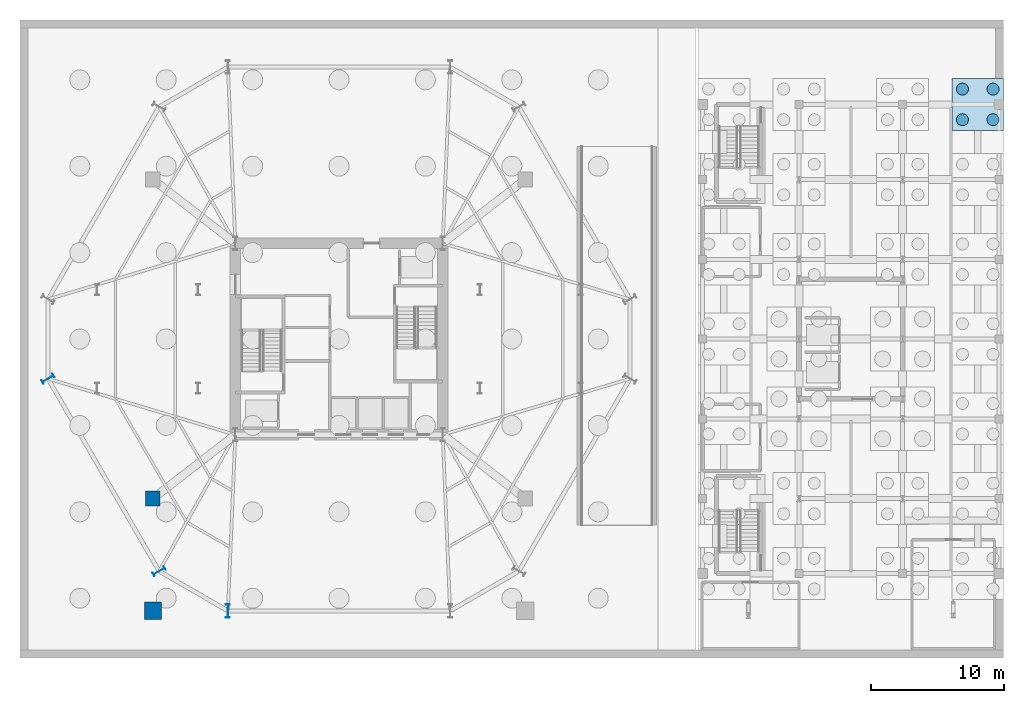
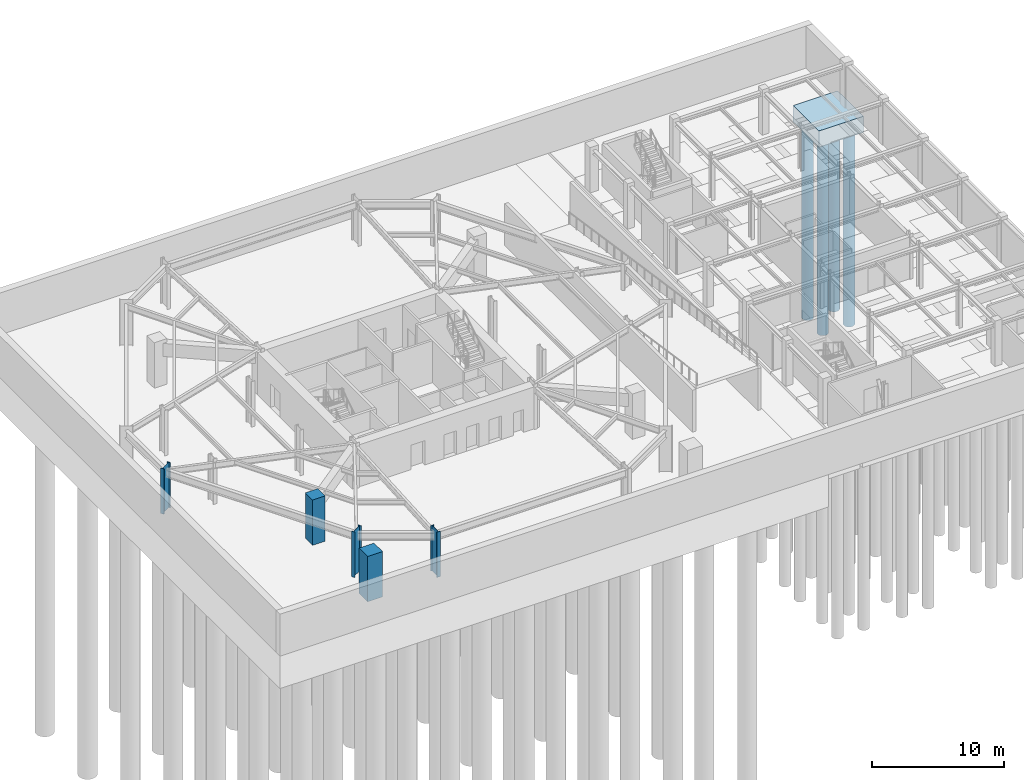
# One storey, part 3 of 18: 5 columns, 4 piles, 1 footing.
"""IFC4 building model written with IfcOpenShell, lengths in metres."""

from ifc_helpers import new_model, si_unit, direction, frame, origin, origin_2d, place, context, subcontext, project, spatial, polyline, rectangle, circle, i_section, outline, extrude, material, layer, layer_set, material_profile, profile_set, type_object, element, save


model = new_model("IFC4")

# Units and contexts
model_context = context("Model", 3, precision=1e-05, world=origin(), true_north=direction((0.0, 1.0)))
body_context = subcontext(model_context, "Body", "Model", "MODEL_VIEW")
ifc_project = project(units=[si_unit("LENGTHUNIT", "METRE"), si_unit("AREAUNIT", "SQUARE_METRE"), si_unit("VOLUMEUNIT", "CUBIC_METRE"), si_unit("PLANEANGLEUNIT", "RADIAN"), si_unit("MASSUNIT", "GRAM", prefix="KILO")], contexts=[model_context])

# Site, building, storey
site_placement = place(None, origin())
site = spatial("IfcSite", under=ifc_project, at=site_placement, CompositionType="ELEMENT")
building_placement = place(site_placement, origin())
building = spatial("IfcBuilding", under=site, at=building_placement, Name="Kranzbogen Civic Tower", CompositionType="ELEMENT")
storey_placement = place(building_placement, frame((0.0, 0.0, -8.39990234375)))
storey = spatial("IfcBuildingStorey", under=building, at=storey_placement, Name="B02", CompositionType="ELEMENT", Elevation=-8.39990234375)

# Piles
ifc_material_1 = material(Name="Concrete C40/50", Category="concrete")
ifc_material_profile_1 = material_profile(ifc_material_1, circle(Radius=0.449951171875, at=origin_2d()), Name="PILE D900")
ifc_profile_set_1 = profile_set([ifc_material_profile_1], Name="Concrete C40/50")
pile_type = type_object("IfcPileType", Name="Bored Foundation Pile D900", PredefinedType="BORED", material=ifc_profile_set_1)
for number, where, z_axis, x_axis, name in (
    (1, (71.89990234375, 41.5, -1.400146484375), (0.0, 0.0, -1.0), (1.0, 0.0, 0.0), "Health Centre bored pile 109"),
    (2, (71.89990234375, 43.800048828125, -1.400146484375), (0.0, 0.0, -1.0), (1.0, 0.0, 0.0), "Health Centre bored pile 110"),
    (3, (74.199951171875, 41.5, -1.400146484375), (0.0, 0.0, -1.0), (1.0, 0.0, 0.0), "Health Centre bored pile 111"),
    (4, (74.199951171875, 43.800048828125, -1.400146484375), (0.0, 0.0, -1.0), (1.0, 0.0, 0.0), "Health Centre bored pile 112"),
):
    element("IfcPile", number, at=place(storey_placement, frame(where, z_axis=z_axis, x_axis=x_axis)), inside=storey, type_object=pile_type, Name=name, PredefinedType="BORED", context=body_context, shape_type="SweptSolid", body=[
        extrude(circle(Radius=0.449951171875, at=origin_2d()), origin(), (0.0, 0.0, 1.0), 18.0),
    ])

# Footing
ifc_layer = layer(ifc_material_1, 1.5, Name="Concrete C40/50")
ifc_layer_set = layer_set([ifc_layer], Name="Concrete C40/50")
footing_type = type_object("IfcFootingType", Name="Health Centre 4-Pile Cap 3900x3900x1500", PredefinedType="PILE_CAP", material=ifc_layer_set)
footing_placement = place(storey_placement, frame((0.0, 0.0, -1.5)))
element("IfcFooting", 5, at=footing_placement, inside=storey, type_object=footing_type, Name="Health Centre pile cap 13/H", PredefinedType="PILE_CAP", context=body_context, shape_type="SweptSolid", body=[
    extrude(outline(polyline([(71.10009765625, 40.699951171875), (75.0, 40.699951171875), (75.0, 44.60009765625), (71.10009765625, 44.60009765625), (71.10009765625, 40.699951171875)])), origin(), (0.0, 0.0, 1.0), 1.5),
])

# Columns
ifc_material_2 = material(Name="Steel S460", Category="steel")
ifc_material_profile_2 = material_profile(ifc_material_2, i_section(OverallWidth=0.302001953125, OverallDepth=1.008056640625, WebThickness=0.02099609375, FlangeThickness=0.0400390625, at=origin_2d()), Name="HEM 1000")
ifc_profile_set_2 = profile_set([ifc_material_profile_2], Name="Steel S460")
column_type_1 = type_object("IfcColumnType", Name="Structural Column HEM 1000", PredefinedType="COLUMN", material=ifc_profile_set_2)
for number, where, z_axis, x_axis, name in (
    (6, (3.110107421875, 22.013916015625, 0.0), (0.0, 0.0, 1.0), (-0.5, 0.866025403784, 0.0), "B02 tower perimeter tube column 07"),
    (7, (11.468994140625, 7.535888671875, 0.0), (0.0, 0.0, 1.0), (-0.5, 0.866025403784, 0.0), "B02 tower perimeter tube column 08"),
    (8, (16.64111328125, 4.550048828125, 0.0), (0.0, 0.0, 1.0), (1.0, 0.0, 0.0), "B02 tower perimeter tube column 09"),
):
    element("IfcColumn", number, at=place(storey_placement, frame(where, z_axis=z_axis, x_axis=x_axis)), inside=storey, type_object=column_type_1, Name=name, PredefinedType="COLUMN", context=body_context, shape_type="SweptSolid", body=[
        extrude(i_section(OverallWidth=0.302001953125, OverallDepth=1.008056640625, WebThickness=0.02099609375, FlangeThickness=0.0400390625, at=origin_2d()), origin(), (0.0, 0.0, 1.0), 4.199951171875),
    ])
ifc_material_3 = material(Name="Concrete C55/67", Category="concrete")
ifc_material_profile_3 = material_profile(ifc_material_3, rectangle(XDim=1.10009765625, YDim=1.10009765625, at=origin_2d()), Name="RC 1100x1100")
ifc_profile_set_3 = profile_set([ifc_material_profile_3], Name="Concrete C55/67")
column_type_2 = type_object("IfcColumnType", Name="Structural Column RC 1100x1100", PredefinedType="COLUMN", material=ifc_profile_set_3)
column_1_placement = place(storey_placement, frame((11.0, 13.0, 0.0), z_axis=(0.0, 0.0, 1.0), x_axis=(1.0, 0.0, 0.0)))
element("IfcColumn", 9, at=column_1_placement, inside=storey, type_object=column_type_2, Name="B02 basement auxiliary column 1", PredefinedType="COLUMN", context=body_context, shape_type="SweptSolid", body=[
    extrude(rectangle(XDim=1.10009765625, YDim=1.10009765625, at=origin_2d()), origin(), (0.0, 0.0, 1.0), 4.199951171875),
])
ifc_material_profile_4 = material_profile(ifc_material_3, rectangle(XDim=1.300048828125, YDim=1.300048828125, at=origin_2d()), Name="RC 1300x1300")
ifc_profile_set_4 = profile_set([ifc_material_profile_4], Name="Concrete C55/67")
column_type_3 = type_object("IfcColumnType", Name="Structural Column RC 1300x1300", PredefinedType="COLUMN", material=ifc_profile_set_4)
column_2_placement = place(storey_placement, frame((11.0, 4.550048828125, 0.0), z_axis=(0.0, 0.0, 1.0), x_axis=(1.0, 0.0, 0.0)))
element("IfcColumn", 10, at=column_2_placement, inside=storey, type_object=column_type_3, Name="B02 portal arch corner pier 1", PredefinedType="COLUMN", context=body_context, shape_type="SweptSolid", body=[
    extrude(rectangle(XDim=1.300048828125, YDim=1.300048828125, at=origin_2d()), origin(), (0.0, 0.0, 1.0), 4.199951171875),
])

save(model, "model.ifc")
